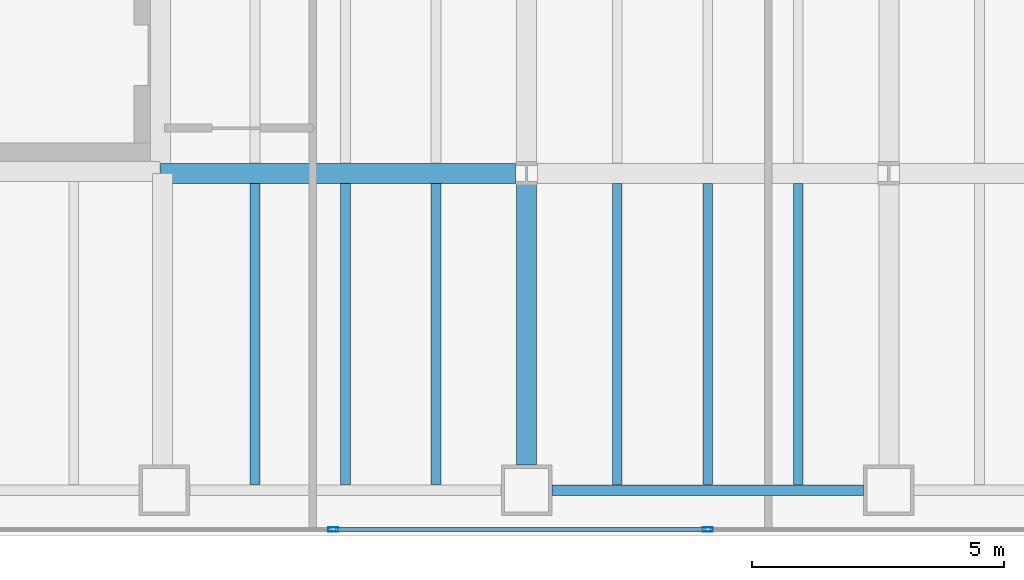
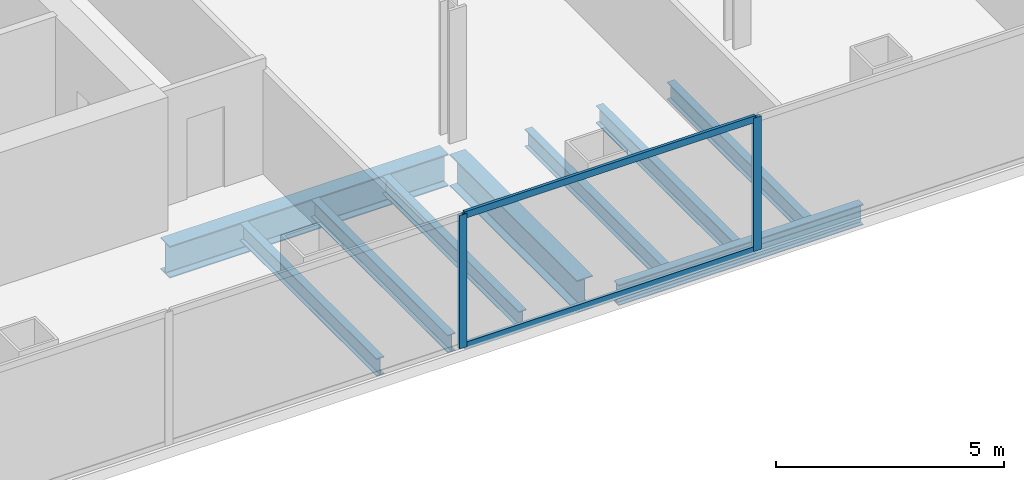
# One storey, part 4 of 23: 9 beams, 4 members, 1 element without a shape of its own.
"""IFC4 building model written with IfcOpenShell, lengths in metres."""

from ifc_helpers import new_model, si_unit, direction, frame, origin, origin_2d, place, context, subcontext, project, spatial, hollow_rectangle, i_section, extrude, material, material_profile, profile_set, type_object, element, aggregate, save


model = new_model("IFC4")

# Units and contexts
model_context = context("Model", 3, precision=1e-05, world=origin(), true_north=direction((0.0, 1.0)))
body_context = subcontext(model_context, "Body", "Model", "MODEL_VIEW")
ifc_project = project(units=[si_unit("LENGTHUNIT", "METRE"), si_unit("AREAUNIT", "SQUARE_METRE"), si_unit("VOLUMEUNIT", "CUBIC_METRE"), si_unit("PLANEANGLEUNIT", "RADIAN"), si_unit("MASSUNIT", "GRAM", prefix="KILO")], contexts=[model_context])

# Site, building, storey
site_placement = place(None, origin())
site = spatial("IfcSite", under=ifc_project, at=site_placement, CompositionType="ELEMENT")
building_placement = place(site_placement, origin())
building = spatial("IfcBuilding", under=site, at=building_placement, Name="Cobrela Telecom Tower", CompositionType="ELEMENT")
storey_placement = place(building_placement, frame((0.0, 0.0, 73.5)))
storey = spatial("IfcBuildingStorey", under=building, at=storey_placement, Name="L18", CompositionType="ELEMENT", Elevation=73.5)

# Beams
ifc_material_1 = material(Name="Steel ASTM A992 Grade 50", Category="steel")
ifc_material_profile_1 = material_profile(ifc_material_1, i_section(OverallWidth=0.39892578125, OverallDepth=0.85595703125, WebThickness=0.018310546875, FlangeThickness=0.029296875, FilletRadius=0.02001953125, at=origin_2d()), Name="W33X201")
ifc_profile_set_1 = profile_set([ifc_material_profile_1], Name="Steel ASTM A992 Grade 50")
beam_type_1 = type_object("IfcBeamType", Name="BM-GIRD-03", PredefinedType="USERDEFINED", material=ifc_profile_set_1)
beam_1_placement = place(storey_placement, frame((14.324951171875, 7.199951171875, -0.7080078125), z_axis=(1.0, 0.0, 0.0), x_axis=(0.0, 1.0, 0.0)))
element("IfcBeam", 1, at=beam_1_placement, inside=storey, type_object=beam_type_1, Name="L18 Primary Girder X08", ObjectType="GIRDER", PredefinedType="USERDEFINED", context=body_context, shape_type="SweptSolid", body=[
    extrude(i_section(OverallWidth=0.39892578125, OverallDepth=0.85595703125, WebThickness=0.018310546875, FlangeThickness=0.029296875, FilletRadius=0.02001953125, at=origin_2d()), origin(), (0.0, 0.0, 1.0), 7.05908203125),
])
beam_2_placement = place(storey_placement, frame((21.60009765625, 1.405029296875, -0.7080078125), z_axis=(0.0, 1.0, 0.0), x_axis=(-1.0, 0.0, 0.0)))
element("IfcBeam", 2, at=beam_2_placement, inside=storey, type_object=beam_type_1, Name="L18 Primary Girder Y40", ObjectType="GIRDER", PredefinedType="USERDEFINED", context=body_context, shape_type="SweptSolid", body=[
    extrude(i_section(OverallWidth=0.39892578125, OverallDepth=0.85595703125, WebThickness=0.018310546875, FlangeThickness=0.029296875, FilletRadius=0.02001953125, at=origin_2d()), origin(), (0.0, 0.0, 1.0), 5.578857421875),
])
ifc_material_profile_2 = material_profile(ifc_material_1, i_section(OverallWidth=0.193115234375, OverallDepth=0.467041015625, WebThickness=0.011474609375, FlangeThickness=0.01904296875, FilletRadius=0.012939453125, at=origin_2d()), Name="W18X65")
ifc_profile_set_2 = profile_set([ifc_material_profile_2], Name="Steel ASTM A992 Grade 50")
beam_type_2 = type_object("IfcBeamType", Name="BM-JOIST-03", PredefinedType="JOIST", material=ifc_profile_set_2)
for number, where, z_axis, x_axis, name in (
    (3, (16.199951171875, 1.011474609375, -0.513427734375), (0.0, 1.0, 0.0), (-1.0, 0.0, 0.0), "L18 Secondary Composite Floor Beam J07"),
    (4, (18.0, 1.011474609375, -0.513427734375), (0.0, 1.0, 0.0), (-1.0, 0.0, 0.0), "L18 Secondary Composite Floor Beam J13"),
    (5, (19.800048828125, 1.011474609375, -0.513427734375), (0.0, 1.0, 0.0), (-1.0, 0.0, 0.0), "L18 Secondary Composite Floor Beam J19"),
    (6, (23.39990234375, 1.011474609375, -0.513427734375), (0.0, 1.0, 0.0), (-1.0, 0.0, 0.0), "L18 Secondary Composite Floor Beam J25"),
    (7, (25.199951171875, 1.011474609375, -0.513427734375), (0.0, 1.0, 0.0), (-1.0, 0.0, 0.0), "L18 Secondary Composite Floor Beam J31"),
    (8, (27.0, 1.011474609375, -0.513427734375), (0.0, 1.0, 0.0), (-1.0, 0.0, 0.0), "L18 Secondary Composite Floor Beam J36"),
):
    element("IfcBeam", number, at=place(storey_placement, frame(where, z_axis=z_axis, x_axis=x_axis)), inside=storey, type_object=beam_type_2, Name=name, PredefinedType="JOIST", context=body_context, shape_type="SweptSolid", body=[
        extrude(i_section(OverallWidth=0.193115234375, OverallDepth=0.467041015625, WebThickness=0.011474609375, FlangeThickness=0.01904296875, FilletRadius=0.012939453125, at=origin_2d()), origin(), (0.0, 0.0, 1.0), 5.984130859375),
    ])
ifc_material_profile_3 = material_profile(ifc_material_1, i_section(OverallWidth=0.212890625, OverallDepth=0.549072265625, WebThickness=0.0146484375, FlangeThickness=0.023681640625, FilletRadius=0.013916015625, at=origin_2d()), Name="W21X93")
ifc_profile_set_3 = profile_set([ifc_material_profile_3], Name="Steel ASTM A992 Grade 50")
beam_type_3 = type_object("IfcBeamType", Name="BM-SPAND-03", PredefinedType="SPANDREL", material=ifc_profile_set_3)
beam_3_placement = place(storey_placement, frame((22.10498046875, 0.89990234375, -0.554443359375), z_axis=(1.0, 0.0, 0.0), x_axis=(0.0, 1.0, 0.0)))
element("IfcBeam", 9, at=beam_3_placement, inside=storey, type_object=beam_type_3, Name="L18 Perimeter Spandrel X03", PredefinedType="SPANDREL", context=body_context, shape_type="SweptSolid", body=[
    extrude(i_section(OverallWidth=0.212890625, OverallDepth=0.549072265625, WebThickness=0.0146484375, FlangeThickness=0.023681640625, FilletRadius=0.013916015625, at=origin_2d()), origin(), (0.0, 0.0, 1.0), 6.18994140625),
])

# Curtain wall, members
ifc_material_2 = material(Name="Anodized Bronze Aluminium 6063-T6", Category="aluminium")
curtain_wall_type = type_object("IfcCurtainWallType", Name="CW-SYS-DATA", PredefinedType="USERDEFINED", material=ifc_material_2)
curtain_wall_placement = place(storey_placement, origin())
curtain_wall = element("IfcCurtainWall", 10, at=curtain_wall_placement, inside=storey, type_object=curtain_wall_type, Name="L18 Unitised Bronze Curtain Wall 17", ObjectType="UNITISED CURTAIN WALL", PredefinedType="USERDEFINED")
ifc_material_profile_4 = material_profile(ifc_material_2, hollow_rectangle(XDim=0.080078125, YDim=0.199951171875, WallThickness=0.00390625, at=origin_2d()), Name="ALU 80x200x4")
ifc_profile_set_4 = profile_set([ifc_material_profile_4], Name="Anodized Bronze Aluminium 6063-T6")
member_type_1 = type_object("IfcMemberType", Name="CW-SYS-DATA-MUL", PredefinedType="MULLION", material=ifc_profile_set_4)
member_1_placement = place(storey_placement, frame((25.199951171875, 0.1201171875, 0.0), z_axis=(0.0, 0.0, 1.0), x_axis=(0.0, -1.0, 0.0)))
member_1 = element("IfcMember", 11, at=member_1_placement, type_object=member_type_1, Name="CW-DATA mullion 4", PredefinedType="MULLION", context=body_context, shape_type="SweptSolid", body=[
    extrude(hollow_rectangle(XDim=0.080078125, YDim=0.199951171875, WallThickness=0.00390625, at=origin_2d()), origin(), (0.0, 0.0, 1.0), 3.570068359375),
])
member_2_placement = place(storey_placement, frame((17.756591796875, 0.1201171875, 0.0), z_axis=(0.0, 0.0, 1.0), x_axis=(0.0, -1.0, 0.0)))
member_2 = element("IfcMember", 12, at=member_2_placement, type_object=member_type_1, Name="CW-DATA mullion 5", PredefinedType="MULLION", context=body_context, shape_type="SweptSolid", body=[
    extrude(hollow_rectangle(XDim=0.080078125, YDim=0.199951171875, WallThickness=0.00390625, at=origin_2d()), origin(), (0.0, 0.0, 1.0), 3.570068359375),
])
ifc_material_profile_5 = material_profile(ifc_material_2, hollow_rectangle(XDim=0.074951171875, YDim=0.179931640625, WallThickness=0.00390625, at=origin_2d()), Name="ALU 75x180x4")
ifc_profile_set_5 = profile_set([ifc_material_profile_5], Name="Anodized Bronze Aluminium 6063-T6")
member_type_2 = type_object("IfcMemberType", Name="CW-SYS-DATA-TRN", PredefinedType="USERDEFINED", material=ifc_profile_set_5)
member_3_placement = place(storey_placement, frame((25.159912109375, 0.1201171875, 0.03759765625), z_axis=(-1.0, 0.0, 0.0), x_axis=(0.0, -1.0, 0.0)))
member_3 = element("IfcMember", 13, at=member_3_placement, type_object=member_type_2, Name="CW-DATA transom 4.1", ObjectType="TRANSOM", PredefinedType="USERDEFINED", context=body_context, shape_type="SweptSolid", body=[
    extrude(hollow_rectangle(XDim=0.074951171875, YDim=0.179931640625, WallThickness=0.00390625, at=origin_2d()), origin(), (0.0, 0.0, 1.0), 7.36328125),
])
member_4_placement = place(storey_placement, frame((25.159912109375, 0.1201171875, 3.532470703125), z_axis=(-1.0, 0.0, 0.0), x_axis=(0.0, -1.0, 0.0)))
member_4 = element("IfcMember", 14, at=member_4_placement, type_object=member_type_2, Name="CW-DATA transom 4.2", ObjectType="TRANSOM", PredefinedType="USERDEFINED", context=body_context, shape_type="SweptSolid", body=[
    extrude(hollow_rectangle(XDim=0.074951171875, YDim=0.179931640625, WallThickness=0.00390625, at=origin_2d()), origin(), (0.0, 0.0, 1.0), 7.36328125),
])
aggregate(curtain_wall, [member_1, member_2, member_3, member_4])

save(model, "model.ifc")
